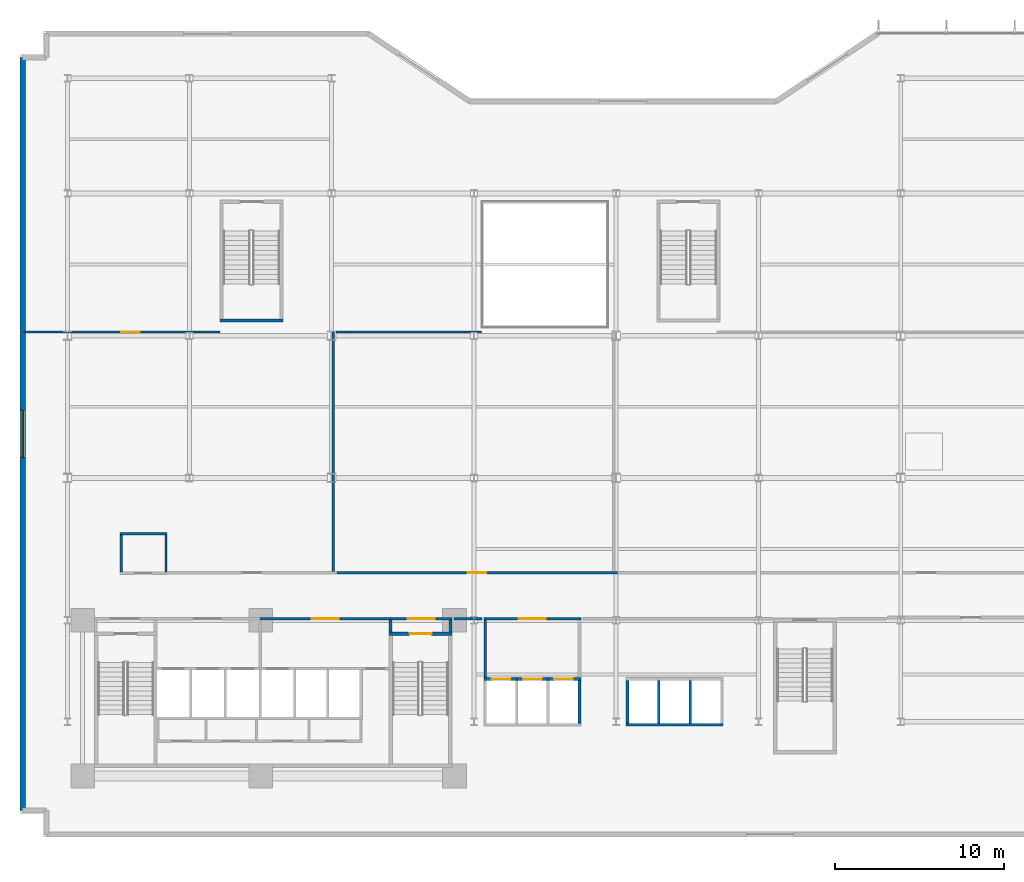
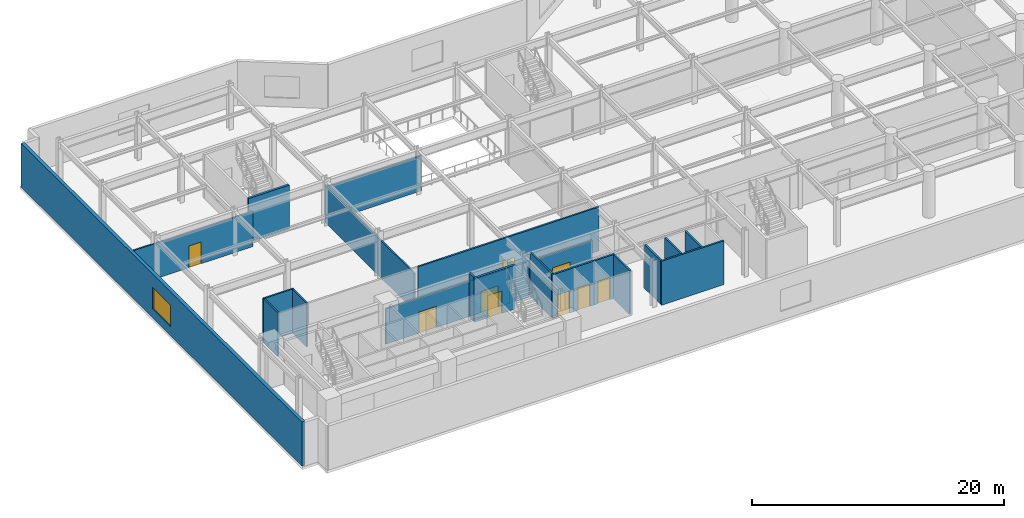
# One storey, part 15 of 26: 25 walls, 9 doors, 1 window, 10 openings.
"""IFC4 building model written with IfcOpenShell, lengths in metres."""

from ifc_helpers import new_model, si_unit, direction, frame, frame_2d, origin, place, context, subcontext, project, spatial, rectangle, extrude, material, layer, layer_set, type_object, element, fill, save


model = new_model("IFC4")

# Units and contexts
model_context = context("Model", 3, precision=1e-05, world=origin(), true_north=direction((0.0, 1.0)))
body_context = subcontext(model_context, "Body", "Model", "MODEL_VIEW")
ifc_project = project(units=[si_unit("LENGTHUNIT", "METRE"), si_unit("AREAUNIT", "SQUARE_METRE"), si_unit("VOLUMEUNIT", "CUBIC_METRE"), si_unit("PLANEANGLEUNIT", "RADIAN"), si_unit("MASSUNIT", "GRAM", prefix="KILO")], contexts=[model_context])

# Site, building, storey
site_placement = place(None, origin())
site = spatial("IfcSite", under=ifc_project, at=site_placement, CompositionType="ELEMENT")
building_placement = place(site_placement, origin())
building = spatial("IfcBuilding", under=site, at=building_placement, Name="Varnakote Quay Hospital", CompositionType="ELEMENT")
storey_placement = place(building_placement, frame((0.0, 0.0, 4.5)))
storey = spatial("IfcBuildingStorey", under=building, at=storey_placement, Name="L01", CompositionType="ELEMENT", Elevation=4.5)

# Wall, opening, door
ifc_material_1 = material(Name="Fire-rated acoustic gypsum stud wall", Category="gypsum")
ifc_layer_1 = layer(ifc_material_1, 0.159912109375)
ifc_layer_set_1 = layer_set([ifc_layer_1], Name="Fire-rated acoustic gypsum stud wall")
wall_type_1 = type_object("IfcWallType", Name="WL-COMP-160", PredefinedType="PARTITIONING", material=ifc_layer_set_1)
wall_1_placement = place(storey_placement, frame((12.580078125, 12.080078125, 0.0), z_axis=(0.0, 0.0, 1.0), x_axis=(1.0, 0.0, 0.0)))
wall_1 = element("IfcWall", 1, at=wall_1_placement, inside=storey, type_object=wall_type_1, Name="L01 Clinical Bed Lift Lobby Wall", PredefinedType="PARTITIONING", context=body_context, shape_type="SweptSolid", body=[
    extrude(rectangle(XDim=7.699951171875, YDim=0.159912109375, at=frame_2d((3.85009765625, 0.0))), origin(), (0.0, 0.0, 1.0), 3.425048828125),
])
opening_1_placement = place(wall_1_placement, frame((3.050048828125, 0.0, 0.0)))
opening_1 = element("IfcOpeningElement", 2, at=opening_1_placement, cuts=wall_1, Name="Opening D-SVL-L01", PredefinedType="OPENING", context=body_context, shape_type="SweptSolid", body=[
    extrude(rectangle(XDim=1.60009765625, YDim=2.050048828125, at=frame_2d((0.800048828125, 1.02490234375))), frame((0.0, 0.08984375, 0.0), z_axis=(0.0, -1.0, 0.0), x_axis=(1.0, 0.0, 0.0)), (0.0, 0.0, 1.0), 0.179931640625),
])
ifc_material_2 = material(Name="Fire-rated double smoke lobby door")
door_type_1 = type_object("IfcDoorType", Name="DR-LOBBY-FD60S-1600x2150", OperationType="NOTDEFINED", PredefinedType="DOOR", material=ifc_material_2)
door_1_placement = place(opening_1_placement, origin())
door_1 = element("IfcDoor", 3, at=door_1_placement, inside=storey, type_object=door_type_1, Name="L01 Clinical Core Smoke Vestibule Door", OperationType="DOUBLE_DOOR_SINGLE_SWING", OverallHeight=2.050048828125, OverallWidth=1.60009765625, PredefinedType="DOOR", context=body_context, shape_type="SweptSolid", body=[
    extrude(rectangle(XDim=1.60009765625, YDim=2.050048828125, at=frame_2d((0.800048828125, 1.02490234375))), frame((0.0, 0.02490234375, 0.0), z_axis=(0.0, -1.0, 0.0), x_axis=(1.0, 0.0, 0.0)), (0.0, 0.0, 1.0), 0.050048828125),
])
fill(opening_1, door_1)

# Wall
wall_2_placement = place(storey_placement, frame((20.280029296875, 11.300048828125, 0.0), z_axis=(0.0, 0.0, 1.0), x_axis=(0.0, 1.0, 0.0)))
element("IfcWall", 4, at=wall_2_placement, inside=storey, type_object=wall_type_1, Name="L01 East Stair Vestibule Divider Wall", PredefinedType="PARTITIONING", context=body_context, shape_type="SweptSolid", body=[
    extrude(rectangle(XDim=0.699951171875, YDim=0.159912109375, at=frame_2d((0.35009765625, 0.0))), origin(), (0.0, 0.0, 1.0), 4.25),
])

# Wall, opening, door
wall_3_placement = place(storey_placement, frame((20.280029296875, 12.080078125, 0.0), z_axis=(0.0, 0.0, 1.0), x_axis=(1.0, 0.0, 0.0)))
wall_3 = element("IfcWall", 5, at=wall_3_placement, inside=storey, type_object=wall_type_1, Name="L01 East Stair Vestibule Smoke Wall", PredefinedType="PARTITIONING", context=body_context, shape_type="SweptSolid", body=[
    extrude(rectangle(XDim=3.619873046875, YDim=0.159912109375, at=frame_2d((1.81005859375, 0.0))), origin(), (0.0, 0.0, 1.0), 3.425048828125),
])
opening_2_placement = place(wall_3_placement, frame((1.010009765625, 0.0, 0.0)))
opening_2 = element("IfcOpeningElement", 6, at=opening_2_placement, cuts=wall_3, Name="Opening D-ST2L-L01", PredefinedType="OPENING", context=body_context, shape_type="SweptSolid", body=[
    extrude(rectangle(XDim=1.60009765625, YDim=2.050048828125, at=frame_2d((0.800048828125, 1.02490234375))), frame((0.0, 0.08984375, 0.0), z_axis=(0.0, -1.0, 0.0), x_axis=(1.0, 0.0, 0.0)), (0.0, 0.0, 1.0), 0.179931640625),
])
door_2_placement = place(opening_2_placement, origin())
door_2 = element("IfcDoor", 7, at=door_2_placement, inside=storey, type_object=door_type_1, Name="L01 East Stair Vestibule Smoke Door", OperationType="DOUBLE_DOOR_SINGLE_SWING", OverallHeight=2.050048828125, OverallWidth=1.60009765625, PredefinedType="DOOR", context=body_context, shape_type="SweptSolid", body=[
    extrude(rectangle(XDim=1.60009765625, YDim=2.050048828125, at=frame_2d((0.800048828125, 1.02490234375))), frame((0.0, 0.02490234375, 0.0), z_axis=(0.0, -1.0, 0.0), x_axis=(1.0, 0.0, 0.0)), (0.0, 0.0, 1.0), 0.050048828125),
])
fill(opening_2, door_2)

# Walls
wall_4_placement = place(storey_placement, frame((23.820068359375, 11.300048828125, 0.0), z_axis=(0.0, 0.0, 1.0), x_axis=(0.0, 1.0, 0.0)))
element("IfcWall", 8, at=wall_4_placement, inside=storey, type_object=wall_type_1, Name="L01 East Stair Vestibule East Wall", PredefinedType="PARTITIONING", context=body_context, shape_type="SweptSolid", body=[
    extrude(rectangle(XDim=0.699951171875, YDim=0.159912109375, at=frame_2d((0.35009765625, 0.0))), origin(), (0.0, 0.0, 1.0), 4.25),
])
wall_5_placement = place(storey_placement, frame((25.8701171875, 8.610107421875, 0.0), z_axis=(0.0, 0.0, 1.0), x_axis=(0.0, 1.0, 0.0)))
element("IfcWall", 9, at=wall_5_placement, inside=storey, type_object=wall_type_1, Name="L01 Low-Rise Lift Lobby West Wall", PredefinedType="PARTITIONING", context=body_context, shape_type="SweptSolid", body=[
    extrude(rectangle(XDim=3.389892578125, YDim=0.159912109375, at=frame_2d((1.69482421875, 0.0))), origin(), (0.0, 0.0, 1.0), 4.25),
])

# Wall, opening, door
wall_6_placement = place(storey_placement, frame((25.7900390625, 12.080078125, 0.0), z_axis=(0.0, 0.0, 1.0), x_axis=(1.0, 0.0, 0.0)))
wall_6 = element("IfcWall", 10, at=wall_6_placement, inside=storey, type_object=wall_type_1, Name="L01 Low-Rise Lift Lobby North Wall", PredefinedType="PARTITIONING", context=body_context, shape_type="SweptSolid", body=[
    extrude(rectangle(XDim=5.719970703125, YDim=0.159912109375, at=frame_2d((2.85986328125, 0.0))), origin(), (0.0, 0.0, 1.0), 3.425048828125),
])
opening_3_placement = place(wall_6_placement, frame((2.06005859375, 0.0, 0.0)))
opening_3 = element("IfcOpeningElement", 11, at=opening_3_placement, cuts=wall_6, Name="Opening D-PLL-L01", PredefinedType="OPENING", context=body_context, shape_type="SweptSolid", body=[
    extrude(rectangle(XDim=1.60009765625, YDim=2.050048828125, at=frame_2d((0.800048828125, 1.02490234375))), frame((0.0, 0.08984375, 0.0), z_axis=(0.0, -1.0, 0.0), x_axis=(1.0, 0.0, 0.0)), (0.0, 0.0, 1.0), 0.179931640625),
])
door_3_placement = place(opening_3_placement, origin())
door_3 = element("IfcDoor", 12, at=door_3_placement, inside=storey, type_object=door_type_1, Name="L01 Low-Rise Passenger Concourse Vestibule Door", OperationType="DOUBLE_DOOR_SINGLE_SWING", OverallHeight=2.050048828125, OverallWidth=1.60009765625, PredefinedType="DOOR", context=body_context, shape_type="SweptSolid", body=[
    extrude(rectangle(XDim=1.60009765625, YDim=2.050048828125, at=frame_2d((0.800048828125, 1.02490234375))), frame((0.0, 0.02490234375, 0.0), z_axis=(0.0, -1.0, 0.0), x_axis=(1.0, 0.0, 0.0)), (0.0, 0.0, 1.0), 0.050048828125),
])
fill(opening_3, door_3)

# Wall
wall_7_placement = place(storey_placement, frame((24.02001953125, 12.080078125, 0.0), z_axis=(0.0, 0.0, 1.0), x_axis=(1.0, 0.0, 0.0)))
element("IfcWall", 13, at=wall_7_placement, inside=storey, type_object=wall_type_1, Name="L01 Corridor South Gap Wall", PredefinedType="PARTITIONING", context=body_context, shape_type="SweptSolid", body=[
    extrude(rectangle(XDim=1.64990234375, YDim=0.159912109375, at=frame_2d((0.824951171875, 0.0))), origin(), (0.0, 0.0, 1.0), 3.425048828125),
])

# Wall, opening, window
ifc_material_3 = material(Name="Precast concrete N50 (f'c 50 MPa)", Category="concrete")
ifc_layer_2 = layer(ifc_material_3, 0.300048828125)
ifc_layer_set_2 = layer_set([ifc_layer_2], Name="Precast concrete N50 (f'c 50 MPa)")
wall_type_2 = type_object("IfcWallType", Name="WL-EXT-BRICK-300", PredefinedType="STANDARD", material=ifc_layer_set_2)
wall_8_placement = place(storey_placement, frame((-1.43994140625, 45.239990234375, 0.0), z_axis=(0.0, 0.0, 1.0), x_axis=(0.0, -1.0, 0.0)))
wall_8 = element("IfcWall", 14, at=wall_8_placement, inside=storey, type_object=wall_type_2, Name="L01 Brick-Faced Precast Exterior Wall", PredefinedType="STANDARD", context=body_context, shape_type="SweptSolid", body=[
    extrude(rectangle(XDim=44.47998046875, YDim=0.300048828125, at=frame_2d((22.239990234375, 0.0))), origin(), (0.0, 0.0, 1.0), 4.25),
])
opening_4_placement = place(wall_8_placement, frame((20.840087890625, 0.0, 0.85009765625)))
opening_4 = element("IfcOpeningElement", 15, at=opening_4_placement, cuts=wall_8, Name="Opening WN-0012", PredefinedType="OPENING", context=body_context, shape_type="SweptSolid", body=[
    extrude(rectangle(XDim=2.800048828125, YDim=2.10009765625, at=frame_2d((1.39990234375, 1.050048828125))), frame((0.0, 0.159912109375, 0.0), z_axis=(0.0, -1.0, 0.0), x_axis=(1.0, 0.0, 0.0)), (0.0, 0.0, 1.0), 0.320068359375),
])
ifc_material_4 = material(Name="Double-glazed acoustic laminated glass", Category="glass")
window_type = type_object("IfcWindowType", Name="WIN-POD-2800x2100", PartitioningType="SINGLE_PANEL", PredefinedType="WINDOW", material=ifc_material_4)
window_placement = place(opening_4_placement, origin())
window = element("IfcWindow", 16, at=window_placement, inside=storey, type_object=window_type, Name="L01 Solar-Control Clinical Window", OverallHeight=2.10009765625, OverallWidth=2.800048828125, PartitioningType="SINGLE_PANEL", PredefinedType="WINDOW", context=body_context, shape_type="SweptSolid", body=[
    extrude(rectangle(XDim=2.800048828125, YDim=2.10009765625, at=frame_2d((1.39990234375, 1.050048828125))), frame((0.0, 0.030029296875, 0.0), z_axis=(0.0, -1.0, 0.0), x_axis=(1.0, 0.0, 0.0)), (0.0, 0.0, 1.0), 0.06005859375),
])
fill(opening_4, window)

# Walls
ifc_material_5 = material(Name="Concrete N50 (f'c 50 MPa)", Category="concrete")
ifc_layer_3 = layer(ifc_material_5, 0.14990234375)
ifc_layer_set_3 = layer_set([ifc_layer_3], Name="Concrete N50 (f'c 50 MPa)")
wall_type_3 = type_object("IfcWallType", Name="WL-SHAFT-N50-150", PredefinedType="SHEAR", material=ifc_layer_set_3)
for number, where, z_axis, x_axis, name in (
    (17, (36.125, 5.89990234375, 0.0), (0.0, 0.0, 1.0), (0.0, 1.0, 0.0), "L01 LF-PM1 Hoistway Divider Wall"),
    (18, (37.97509765625, 5.89990234375, 0.0), (0.0, 0.0, 1.0), (0.0, 1.0, 0.0), "L01 LF-PM2 Hoistway Divider Wall"),
):
    element("IfcWall", number, at=place(storey_placement, frame(where, z_axis=z_axis, x_axis=x_axis)), inside=storey, type_object=wall_type_3, Name=name, PredefinedType="SHEAR", context=body_context, shape_type="SweptSolid", body=[
        extrude(rectangle(XDim=2.550048828125, YDim=0.14990234375, at=frame_2d((1.27490234375, 0.0))), origin(), (0.0, 0.0, 1.0), 4.25),
    ])
ifc_material_6 = material(Name="Concrete N50 (f'c 50 MPa)", Category="concrete")
ifc_layer_4 = layer(ifc_material_6, 0.159912109375)
ifc_layer_set_4 = layer_set([ifc_layer_4], Name="Concrete N50 (f'c 50 MPa)")
wall_type_4 = type_object("IfcWallType", Name="WL-SHAFT-N50-160", PredefinedType="SHEAR", material=ifc_layer_set_4)
wall_9_placement = place(storey_placement, frame((31.429931640625, 5.89990234375, 0.0), z_axis=(0.0, 0.0, 1.0), x_axis=(0.0, 1.0, 0.0)))
element("IfcWall", 19, at=wall_9_placement, inside=storey, type_object=wall_type_4, Name="L01 LOW Lift Bank East Shear Wall", PredefinedType="SHEAR", context=body_context, shape_type="SweptSolid", body=[
    extrude(rectangle(XDim=2.550048828125, YDim=0.159912109375, at=frame_2d((1.27490234375, 0.0))), origin(), (0.0, 0.0, 1.0), 4.25),
])

# Wall, opening, door
wall_10_placement = place(storey_placement, frame((25.7900390625, 8.530029296875, 0.0), z_axis=(0.0, 0.0, 1.0), x_axis=(1.0, 0.0, 0.0)))
wall_10 = element("IfcWall", 20, at=wall_10_placement, inside=storey, type_object=wall_type_4, Name="L01 LF-PL1 Hoistway Front Wall", PredefinedType="SHEAR", context=body_context, shape_type="SweptSolid", body=[
    extrude(rectangle(XDim=1.93505859375, YDim=0.159912109375, at=frame_2d((0.967529296875, 0.0))), origin(), (0.0, 0.0, 1.0), 4.25),
])
opening_5_placement = place(wall_10_placement, frame((0.4599609375, 0.0, 0.0)))
opening_5 = element("IfcOpeningElement", 21, at=opening_5_placement, cuts=wall_10, Name="Opening LD-PL1-L01", PredefinedType="OPENING", context=body_context, shape_type="SweptSolid", body=[
    extrude(rectangle(XDim=1.10009765625, YDim=2.14990234375, at=frame_2d((0.550048828125, 1.074951171875))), frame((0.0, 0.08984375, 0.0), z_axis=(0.0, -1.0, 0.0), x_axis=(1.0, 0.0, 0.0)), (0.0, 0.0, 1.0), 0.179931640625),
])
ifc_material_7 = material(Name="Brushed bronze lift landing sliding door")
door_type_2 = type_object("IfcDoorType", Name="DR-LIFT-LD-1100x2150", OperationType="NOTDEFINED", PredefinedType="DOOR", material=ifc_material_7)
door_4_placement = place(opening_5_placement, origin())
door_4 = element("IfcDoor", 22, at=door_4_placement, inside=storey, type_object=door_type_2, Name="L01 LF-PL1 Lift Landing Sliding Door", OperationType="SLIDING_TO_LEFT", OverallHeight=2.14990234375, OverallWidth=1.10009765625, PredefinedType="DOOR", context=body_context, shape_type="SweptSolid", body=[
    extrude(rectangle(XDim=1.10009765625, YDim=2.14990234375, at=frame_2d((0.550048828125, 1.074951171875))), frame((0.0, 0.02490234375, 0.0), z_axis=(0.0, -1.0, 0.0), x_axis=(1.0, 0.0, 0.0)), (0.0, 0.0, 1.0), 0.050048828125),
])
fill(opening_5, door_4)

wall_11_placement = place(storey_placement, frame((27.72509765625, 8.530029296875, 0.0), z_axis=(0.0, 0.0, 1.0), x_axis=(1.0, 0.0, 0.0)))
wall_11 = element("IfcWall", 23, at=wall_11_placement, inside=storey, type_object=wall_type_4, Name="L01 LF-PL2 Hoistway Front Wall", PredefinedType="SHEAR", context=body_context, shape_type="SweptSolid", body=[
    extrude(rectangle(XDim=1.849853515625, YDim=0.159912109375, at=frame_2d((0.9248046875, 0.0))), origin(), (0.0, 0.0, 1.0), 4.25),
])
opening_6_placement = place(wall_11_placement, frame((0.375, 0.0, 0.0)))
opening_6 = element("IfcOpeningElement", 24, at=opening_6_placement, cuts=wall_11, Name="Opening LD-PL2-L01", PredefinedType="OPENING", context=body_context, shape_type="SweptSolid", body=[
    extrude(rectangle(XDim=1.10009765625, YDim=2.14990234375, at=frame_2d((0.550048828125, 1.074951171875))), frame((0.0, 0.08984375, 0.0), z_axis=(0.0, -1.0, 0.0), x_axis=(1.0, 0.0, 0.0)), (0.0, 0.0, 1.0), 0.179931640625),
])
door_5_placement = place(opening_6_placement, origin())
door_5 = element("IfcDoor", 25, at=door_5_placement, inside=storey, type_object=door_type_2, Name="L01 LF-PL2 Lift Landing Sliding Door", OperationType="SLIDING_TO_LEFT", OverallHeight=2.14990234375, OverallWidth=1.10009765625, PredefinedType="DOOR", context=body_context, shape_type="SweptSolid", body=[
    extrude(rectangle(XDim=1.10009765625, YDim=2.14990234375, at=frame_2d((0.550048828125, 1.074951171875))), frame((0.0, 0.02490234375, 0.0), z_axis=(0.0, -1.0, 0.0), x_axis=(1.0, 0.0, 0.0)), (0.0, 0.0, 1.0), 0.050048828125),
])
fill(opening_6, door_5)

wall_12_placement = place(storey_placement, frame((29.574951171875, 8.530029296875, 0.0), z_axis=(0.0, 0.0, 1.0), x_axis=(1.0, 0.0, 0.0)))
wall_12 = element("IfcWall", 26, at=wall_12_placement, inside=storey, type_object=wall_type_4, Name="L01 LF-PL3 Hoistway Front Wall", PredefinedType="SHEAR", context=body_context, shape_type="SweptSolid", body=[
    extrude(rectangle(XDim=1.93505859375, YDim=0.159912109375, at=frame_2d((0.967529296875, 0.0))), origin(), (0.0, 0.0, 1.0), 4.25),
])
opening_7_placement = place(wall_12_placement, frame((0.375, 0.0, 0.0)))
opening_7 = element("IfcOpeningElement", 27, at=opening_7_placement, cuts=wall_12, Name="Opening LD-PL3-L01", PredefinedType="OPENING", context=body_context, shape_type="SweptSolid", body=[
    extrude(rectangle(XDim=1.10009765625, YDim=2.14990234375, at=frame_2d((0.550048828125, 1.074951171875))), frame((0.0, 0.08984375, 0.0), z_axis=(0.0, -1.0, 0.0), x_axis=(1.0, 0.0, 0.0)), (0.0, 0.0, 1.0), 0.179931640625),
])
door_6_placement = place(opening_7_placement, origin())
door_6 = element("IfcDoor", 28, at=door_6_placement, inside=storey, type_object=door_type_2, Name="L01 LF-PL3 Lift Landing Sliding Door", OperationType="SLIDING_TO_LEFT", OverallHeight=2.14990234375, OverallWidth=1.10009765625, PredefinedType="DOOR", context=body_context, shape_type="SweptSolid", body=[
    extrude(rectangle(XDim=1.10009765625, YDim=2.14990234375, at=frame_2d((0.550048828125, 1.074951171875))), frame((0.0, 0.02490234375, 0.0), z_axis=(0.0, -1.0, 0.0), x_axis=(1.0, 0.0, 0.0)), (0.0, 0.0, 1.0), 0.050048828125),
])
fill(opening_7, door_6)

# Walls
wall_13_placement = place(storey_placement, frame((34.18994140625, 5.820068359375, 0.0), z_axis=(0.0, 0.0, 1.0), x_axis=(1.0, 0.0, 0.0)))
element("IfcWall", 29, at=wall_13_placement, inside=storey, type_object=wall_type_4, Name="L01 MID Lift Bank Back Shear Wall", PredefinedType="SHEAR", context=body_context, shape_type="SweptSolid", body=[
    extrude(rectangle(XDim=5.719970703125, YDim=0.159912109375, at=frame_2d((2.85986328125, 0.0))), origin(), (0.0, 0.0, 1.0), 4.25),
])
wall_14_placement = place(storey_placement, frame((34.27001953125, 5.89990234375, 0.0), z_axis=(0.0, 0.0, 1.0), x_axis=(0.0, 1.0, 0.0)))
element("IfcWall", 30, at=wall_14_placement, inside=storey, type_object=wall_type_4, Name="L01 MID Lift Bank West Shear Wall", PredefinedType="SHEAR", context=body_context, shape_type="SweptSolid", body=[
    extrude(rectangle(XDim=2.550048828125, YDim=0.159912109375, at=frame_2d((1.27490234375, 0.0))), origin(), (0.0, 0.0, 1.0), 4.25),
])

# Wall, opening, door
ifc_material_8 = material(Name="Concrete N50 (f'c 50 MPa)", Category="concrete")
ifc_layer_5 = layer(ifc_material_8, 0.199951171875)
ifc_layer_set_5 = layer_set([ifc_layer_5], Name="Concrete N50 (f'c 50 MPa)")
wall_type_5 = type_object("IfcWallType", Name="WL-SHAFT-N50-200", PredefinedType="SHEAR", material=ifc_layer_set_5)
wall_15_placement = place(storey_placement, frame((20.199951171875, 11.199951171875, 0.0), z_axis=(0.0, 0.0, 1.0), x_axis=(1.0, 0.0, 0.0)))
wall_15 = element("IfcWall", 31, at=wall_15_placement, inside=storey, type_object=wall_type_5, Name="L01 Stair ST2 Exit Wall", PredefinedType="SHEAR", context=body_context, shape_type="SweptSolid", body=[
    extrude(rectangle(XDim=3.699951171875, YDim=0.199951171875, at=frame_2d((1.85009765625, 0.0))), origin(), (0.0, 0.0, 1.0), 4.25),
])
opening_8_placement = place(wall_15_placement, frame((1.199951171875, 0.0, 0.0)))
opening_8 = element("IfcOpeningElement", 32, at=opening_8_placement, cuts=wall_15, Name="Opening D-ST2-L01", PredefinedType="OPENING", context=body_context, shape_type="SweptSolid", body=[
    extrude(rectangle(XDim=1.300048828125, YDim=2.14990234375, at=frame_2d((0.64990234375, 1.074951171875))), frame((0.0, 0.10986328125, 0.0), z_axis=(0.0, -1.0, 0.0), x_axis=(1.0, 0.0, 0.0)), (0.0, 0.0, 1.0), 0.219970703125),
])
ifc_material_9 = material(Name="Fire-rated ceramic-glazed timber exit door", Category="wood")
door_type_3 = type_object("IfcDoorType", Name="DR-STAIR-FD60S-1300x2150", OperationType="NOTDEFINED", PredefinedType="DOOR", material=ifc_material_9)
door_7_placement = place(opening_8_placement, origin())
door_7 = element("IfcDoor", 33, at=door_7_placement, inside=storey, type_object=door_type_3, Name="L01 Stair ST2 Fire Exit Door", OperationType="SINGLE_SWING_RIGHT", OverallHeight=2.14990234375, OverallWidth=1.300048828125, PredefinedType="DOOR", context=body_context, shape_type="SweptSolid", body=[
    extrude(rectangle(XDim=1.300048828125, YDim=2.14990234375, at=frame_2d((0.64990234375, 1.074951171875))), frame((0.0, 0.02490234375, 0.0), z_axis=(0.0, -1.0, 0.0), x_axis=(1.0, 0.0, 0.0)), (0.0, 0.0, 1.0), 0.050048828125),
])
fill(opening_8, door_7)

# Walls
wall_16_placement = place(storey_placement, frame((10.199951171875, 29.699951171875, 0.0), z_axis=(0.0, 0.0, 1.0), x_axis=(1.0, 0.0, 0.0)))
element("IfcWall", 34, at=wall_16_placement, inside=storey, type_object=wall_type_5, Name="L01 Stair ST4 South Shaft Wall", PredefinedType="SHEAR", context=body_context, shape_type="SweptSolid", body=[
    extrude(rectangle(XDim=3.739990234375, YDim=0.199951171875, at=frame_2d((1.8701171875, 0.0))), origin(), (0.0, 0.0, 1.0), 4.25),
])
ifc_material_10 = material(Name="Smoke-proof clinical partition", Category="gypsum")
ifc_layer_6 = layer(ifc_material_10, 0.135009765625)
ifc_layer_set_6 = layer_set([ifc_layer_6], Name="Smoke-proof clinical partition")
wall_type_6 = type_object("IfcWallType", Name="WL-SMOKE-135", PredefinedType="PARTITIONING", material=ifc_layer_set_6)
wall_17_placement = place(storey_placement, frame((16.89990234375, 14.864990234375, 0.0), z_axis=(0.0, 0.0, 1.0), x_axis=(0.0, 1.0, 0.0)))
element("IfcWall", 35, at=wall_17_placement, inside=storey, type_object=wall_type_6, Name="L01 Clinical Interior Partition", PredefinedType="PARTITIONING", context=body_context, shape_type="SweptSolid", body=[
    extrude(rectangle(XDim=14.155029296875, YDim=0.135009765625, at=frame_2d((7.07763671875, 0.0))), origin(), (0.0, 0.0, 1.0), 3.623046875),
])

# Wall, opening, door
wall_18_placement = place(storey_placement, frame((10.199951171875, 29.02001953125, 0.0), z_axis=(0.0, 0.0, 1.0), x_axis=(-1.0, 0.0, 0.0)))
wall_18 = element("IfcWall", 36, at=wall_18_placement, inside=storey, type_object=wall_type_6, Name="L01 Clinical Interior Partition", PredefinedType="PARTITIONING", context=body_context, shape_type="SweptSolid", body=[
    extrude(rectangle(XDim=11.550048828125, YDim=0.135009765625, at=frame_2d((5.77490234375, 0.0))), origin(), (0.0, 0.0, 1.0), 3.425048828125),
])
opening_9_placement = place(wall_18_placement, frame((4.722412109375, 0.0, 0.0)))
opening_9 = element("IfcOpeningElement", 37, at=opening_9_placement, cuts=wall_18, Name="Opening D-L01-RECP", PredefinedType="OPENING", context=body_context, shape_type="SweptSolid", body=[
    extrude(rectangle(XDim=1.10009765625, YDim=2.10009765625, at=frame_2d((0.550048828125, 1.050048828125))), frame((0.0, 0.077392578125, 0.0), z_axis=(0.0, -1.0, 0.0), x_axis=(1.0, 0.0, 0.0)), (0.0, 0.0, 1.0), 0.155029296875),
])
ifc_material_11 = material(Name="Acoustic timber clinical consult door", Category="wood")
door_type_4 = type_object("IfcDoorType", Name="DR-CLIN-FD30S-1100x2100", OperationType="NOTDEFINED", PredefinedType="DOOR", material=ifc_material_11)
door_8_placement = place(opening_9_placement, origin())
door_8 = element("IfcDoor", 38, at=door_8_placement, inside=storey, type_object=door_type_4, Name="L01 Diagnostic Imaging Waiting Reception Door", OperationType="SINGLE_SWING_LEFT", OverallHeight=2.10009765625, OverallWidth=1.10009765625, PredefinedType="DOOR", context=body_context, shape_type="SweptSolid", body=[
    extrude(rectangle(XDim=1.10009765625, YDim=2.10009765625, at=frame_2d((0.550048828125, 1.050048828125))), frame((0.0, 0.02490234375, 0.0), z_axis=(0.0, -1.0, 0.0), x_axis=(1.0, 0.0, 0.0)), (0.0, 0.0, 1.0), 0.050048828125),
])
fill(opening_9, door_8)

# Walls
wall_19_placement = place(storey_placement, frame((25.657470703125, 29.02001953125, 0.0), z_axis=(0.0, 0.0, 1.0), x_axis=(-1.0, 0.0, 0.0)))
element("IfcWall", 39, at=wall_19_placement, inside=storey, type_object=wall_type_6, Name="L01 Clinical Interior Partition", PredefinedType="PARTITIONING", context=body_context, shape_type="SweptSolid", body=[
    extrude(rectangle(XDim=8.607421875, YDim=0.135009765625, at=frame_2d((4.3037109375, 0.0))), origin(), (0.0, 0.0, 1.0), 3.425048828125),
])
ifc_material_12 = material(Name="Fire-rated clinical gypsum partition", Category="gypsum")
ifc_layer_7 = layer(ifc_material_12, 0.139892578125)
ifc_layer_set_7 = layer_set([ifc_layer_7], Name="Fire-rated clinical gypsum partition")
wall_type_7 = type_object("IfcWallType", Name="WL-WARD-140", PredefinedType="PARTITIONING", material=ifc_layer_set_7)
wall_20_placement = place(storey_placement, frame((4.31005859375, 17.110107421875, 0.0), z_axis=(0.0, 0.0, 1.0), x_axis=(1.0, 0.0, 0.0)))
element("IfcWall", 40, at=wall_20_placement, inside=storey, type_object=wall_type_7, Name="L01 Floor Unisex Accessible WC N Wall", PredefinedType="PARTITIONING", context=body_context, shape_type="SweptSolid", body=[
    extrude(rectangle(XDim=2.780029296875, YDim=0.139892578125, at=frame_2d((1.39013671875, 0.0))), origin(), (0.0, 0.0, 1.0), 4.25),
])
for number, where, z_axis, x_axis, name in (
    (41, (4.3798828125, 14.840087890625, 0.0), (0.0, 0.0, 1.0), (0.0, 1.0, 0.0), "L01 Floor Unisex Accessible WC W Wall"),
    (42, (7.02001953125, 14.840087890625, 0.0), (0.0, 0.0, 1.0), (0.0, 1.0, 0.0), "L01 Floor Unisex Accessible WC E Wall"),
):
    element("IfcWall", number, at=place(storey_placement, frame(where, z_axis=z_axis, x_axis=x_axis)), inside=storey, type_object=wall_type_7, Name=name, PredefinedType="PARTITIONING", context=body_context, shape_type="SweptSolid", body=[
        extrude(rectangle(XDim=2.199951171875, YDim=0.139892578125, at=frame_2d((1.10009765625, 0.0))), origin(), (0.0, 0.0, 1.0), 4.25),
    ])

# Wall, opening, door
ifc_material_13 = material(Name="Fire-rated clinical gypsum partition", Category="gypsum")
ifc_layer_8 = layer(ifc_material_13, 0.14990234375)
ifc_layer_set_8 = layer_set([ifc_layer_8], Name="Fire-rated clinical gypsum partition")
wall_type_8 = type_object("IfcWallType", Name="WL-WARD-150", PredefinedType="PARTITIONING", material=ifc_layer_set_8)
wall_21_placement = place(storey_placement, frame((33.66796875, 14.800048828125, 0.0), z_axis=(0.0, 0.0, 1.0), x_axis=(-1.0, 0.0, 0.0)))
wall_21 = element("IfcWall", 43, at=wall_21_placement, inside=storey, type_object=wall_type_8, Name="L01 Clinical Interior Partition", PredefinedType="PARTITIONING", context=body_context, shape_type="SweptSolid", body=[
    extrude(rectangle(XDim=16.548095703125, YDim=0.14990234375, at=frame_2d((8.27392578125, 0.0))), origin(), (0.0, 0.0, 1.0), 4.25),
])
opening_10_placement = place(wall_21_placement, frame((7.72412109375, 0.0, 0.0)))
opening_10 = element("IfcOpeningElement", 44, at=opening_10_placement, cuts=wall_21, Name="Opening D-L01-CT01", PredefinedType="OPENING", context=body_context, shape_type="SweptSolid", body=[
    extrude(rectangle(XDim=1.10009765625, YDim=2.10009765625, at=frame_2d((0.550048828125, 1.050048828125))), frame((0.0, 0.0849609375, 0.0), z_axis=(0.0, -1.0, 0.0), x_axis=(1.0, 0.0, 0.0)), (0.0, 0.0, 1.0), 0.169921875),
])
door_9_placement = place(opening_10_placement, origin())
door_9 = element("IfcDoor", 45, at=door_9_placement, inside=storey, type_object=door_type_4, Name="L01 Diagnostic CT & X-Ray Imaging Treatment Suite Door", OperationType="SINGLE_SWING_RIGHT", OverallHeight=2.10009765625, OverallWidth=1.10009765625, PredefinedType="DOOR", context=body_context, shape_type="SweptSolid", body=[
    extrude(rectangle(XDim=1.10009765625, YDim=2.10009765625, at=frame_2d((0.550048828125, 1.050048828125))), frame((0.0, 0.02490234375, 0.0), z_axis=(0.0, -1.0, 0.0), x_axis=(1.0, 0.0, 0.0)), (0.0, 0.0, 1.0), 0.050048828125),
])
fill(opening_10, door_9)

save(model, "model.ifc")
